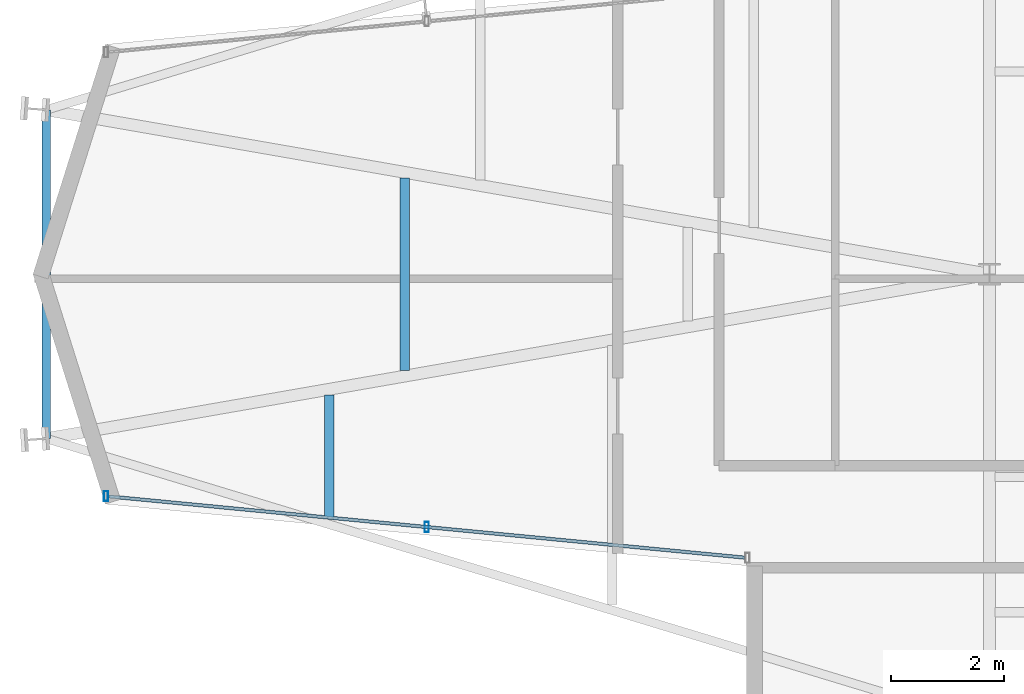
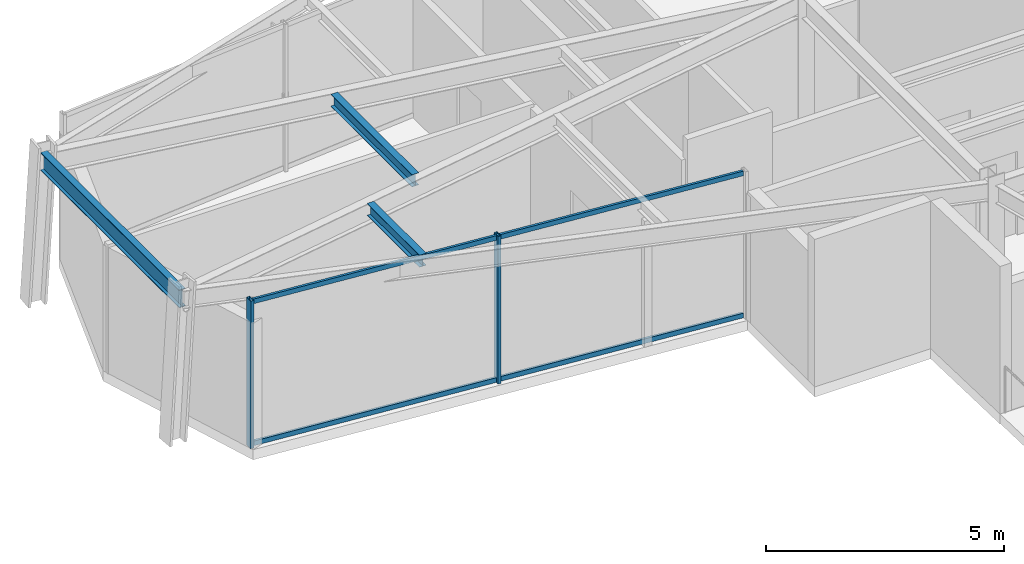
# One storey, part 2 of 21: 4 members, 3 beams, 1 element without a shape of its own.
"""IFC4 building model written with IfcOpenShell, lengths in metres."""

import ifcopenshell
import ifcopenshell.guid

model = None  # the IFC model being written
_history = None  # IfcOwnerHistory: only IFC2X3 demands one
_inside = {}  # id of a spatial element -> (the spatial element, [elements in it])
_under = {}  # id of a project, library or spatial element -> (it, [spatial elements below it])
_declared = {}  # id of a project -> (the project, [libraries it declares])
_typed = {}  # id of a type object -> (the type object, [elements of that type])
_made_of = {}  # id of a material, layer set ... -> (it, [elements and type objects made of it])


def new_model(schema):
    """Start an empty IFC model of exactly this schema.

    Asked for "IFC4X3", IfcOpenShell would pick the latest addendum, in which some entities
    have other attributes; the version numbers below select the first issue.
    IFC2X3 requires an IfcOwnerHistory on every rooted entity: one is made here for all.
    """
    global model, _history
    if schema == "IFC4X3":
        model = ifcopenshell.file(schema_version=(4, 3, 0, 0))
    else:
        model = ifcopenshell.file(schema=schema)
    _inside.clear()
    _under.clear()
    _declared.clear()
    _typed.clear()
    _made_of.clear()
    _history = None
    if model.schema == "IFC2X3":
        org = make("IfcOrganization", Name="unknown")
        user = make(
            "IfcPersonAndOrganization",
            ThePerson=make("IfcPerson", FamilyName="unknown"),
            TheOrganization=org,
        )
        app = make(
            "IfcApplication",
            ApplicationDeveloper=org,
            Version="unknown",
            ApplicationFullName="unknown",
            ApplicationIdentifier="unknown",
        )
        _history = make(
            "IfcOwnerHistory",
            OwningUser=user,
            OwningApplication=app,
            ChangeAction="ADDED",
            CreationDate=0,
        )
    return model


def make(cls, **values):
    """One entity of the class cls with the attributes given. An attribute that is None is left unset."""
    return model.create_entity(
        cls, **{name: value for name, value in values.items() if value is not None}
    )


def rooted(cls, **values):
    """An entity with a GlobalId (a new one), such as an element, a storey or a relation."""
    return make(cls, GlobalId=ifcopenshell.guid.new(), OwnerHistory=_history, **values)


def si_unit(unit_type, name, prefix=None):
    """IfcSIUnit, for example si_unit("LENGTHUNIT", "METRE", prefix="MILLI")."""
    return make("IfcSIUnit", UnitType=unit_type, Prefix=prefix, Name=name)


def assignment(units):
    """IfcUnitAssignment: the units of a project."""
    return None if units is None else make("IfcUnitAssignment", Units=units)


def point(xyz):
    """IfcCartesianPoint."""
    return None if xyz is None else make("IfcCartesianPoint", Coordinates=xyz)


def direction(xyz):
    """IfcDirection."""
    return None if xyz is None else make("IfcDirection", DirectionRatios=xyz)


def frame(location, z_axis=None, x_axis=None):
    """IfcAxis2Placement3D, a coordinate frame: its origin and axes. An axis left out is left unset."""
    return make(
        "IfcAxis2Placement3D",
        Location=point(location),
        Axis=direction(z_axis),
        RefDirection=direction(x_axis),
    )


def frame_2d(location, x_axis=None):
    """IfcAxis2Placement2D, a coordinate frame in the plane: its origin and x axis."""
    return make(
        "IfcAxis2Placement2D", Location=point(location), RefDirection=direction(x_axis)
    )


def origin():
    """The frame at (0, 0, 0) with its axes left unset."""
    return frame((0.0, 0.0, 0.0))


def origin_2d():
    """The frame at (0, 0) in the plane with its x axis left unset."""
    return frame_2d((0.0, 0.0))


def place(relative_to, where):
    """IfcLocalPlacement: puts the frame where relative to a parent placement (None: the world)."""
    return make(
        "IfcLocalPlacement", PlacementRelTo=relative_to, RelativePlacement=where
    )


def context(
    kind, dimensions, precision=None, world=None, true_north=None, identifier=None
):
    """IfcGeometricRepresentationContext, for example the 3D "Model" context."""
    return make(
        "IfcGeometricRepresentationContext",
        ContextIdentifier=identifier,
        ContextType=kind,
        CoordinateSpaceDimension=dimensions,
        Precision=precision,
        WorldCoordinateSystem=world,
        TrueNorth=true_north,
    )


def subcontext(parent, identifier, kind, view, scale=None):
    """IfcGeometricRepresentationSubContext, for example "Body" below "Model"."""
    return make(
        "IfcGeometricRepresentationSubContext",
        ContextIdentifier=identifier,
        ContextType=kind,
        ParentContext=parent,
        TargetScale=scale,
        TargetView=view,
    )


def project(units=None, contexts=None):
    """IfcProject with its units and contexts."""
    return rooted(
        "IfcProject",
        Name="project",
        RepresentationContexts=contexts,
        UnitsInContext=assignment(units),
    )


def spatial(cls, under=None, at=None, **own):
    """A site, building, storey or space (cls), placed at a placement, below another one or the project."""
    s = rooted(cls, ObjectPlacement=at, **own)
    if under is not None:
        _under.setdefault(under.id(), (under, []))[1].append(s)
    return s


def profile(cls, at=None, kind="AREA", **sizes):
    """A parametric profile (cls). Its sizes go by their IFC names, for example OverallWidth=200.0."""
    return make(cls, ProfileType=kind, Position=at, **sizes)


def hollow_rectangle(**sizes):
    """IfcRectangleHollowProfileDef."""
    return profile("IfcRectangleHollowProfileDef", **sizes)


def i_section(**sizes):
    """IfcIShapeProfileDef."""
    return profile("IfcIShapeProfileDef", **sizes)


def extrude(swept, where, along, depth):
    """IfcExtrudedAreaSolid: the profile swept, set in the frame where, extruded along a direction by depth."""
    return make(
        "IfcExtrudedAreaSolid",
        SweptArea=swept,
        Position=where,
        ExtrudedDirection=direction(along),
        Depth=depth,
    )


def shape(context_of_items, identifier, shape_type, items):
    """IfcShapeRepresentation: the items that make up one representation, for example the "Body"."""
    return make(
        "IfcShapeRepresentation",
        ContextOfItems=context_of_items,
        RepresentationIdentifier=identifier,
        RepresentationType=shape_type,
        Items=items,
    )


def material(Name=None, Category=None):
    """IfcMaterial."""
    return make("IfcMaterial", Name=Name, Category=Category)


def layer(
    of_material, thickness, ventilated=None, Name=None, Category=None, Priority=None
):
    """IfcMaterialLayer: one layer of a wall or slab, of a material (None: an air gap)."""
    return make(
        "IfcMaterialLayer",
        Material=of_material,
        LayerThickness=thickness,
        IsVentilated=ventilated,
        Name=Name,
        Category=Category,
        Priority=Priority,
    )


def layer_set(layers, Name=None):
    """IfcMaterialLayerSet."""
    return make("IfcMaterialLayerSet", MaterialLayers=layers, LayerSetName=Name)


def material_profile(
    of_material, cross_section, Name=None, Category=None, Priority=None
):
    """IfcMaterialProfile: a cross section and its material."""
    return make(
        "IfcMaterialProfile",
        Name=Name,
        Material=of_material,
        Profile=cross_section,
        Priority=Priority,
        Category=Category,
    )


def profile_set(profiles, Name=None, composite=None):
    """IfcMaterialProfileSet."""
    return make(
        "IfcMaterialProfileSet",
        Name=Name,
        MaterialProfiles=profiles,
        CompositeProfile=composite,
    )


def made_of(thing, what):
    """Note that an element or type object is made of a material, layer set ...; save() writes the relation."""
    if what is not None:
        _made_of.setdefault(what.id(), (what, []))[1].append(thing)
    return thing


def type_object(cls, material=None, **own):
    """A type object (cls), such as IfcWallType, which elements share."""
    return made_of(rooted(cls, **own), material)


def element(
    cls,
    number,
    at=None,
    inside=None,
    cuts=None,
    type_object=None,
    material=None,
    context=None,
    identifier="Body",
    shape_type=None,
    held_by="IfcProductDefinitionShape",
    body=None,
    shapes=None,
    **own,
):
    """One element of the class cls, such as IfcWall. Its Tag is "e" and its number.

    at: its placement. inside: the storey or other place that contains it. cuts: it is an
    opening in that element (IfcRelVoidsElement). A single representation is given by context,
    identifier, shape_type and body (its items); several are given by shapes. held_by: the class
    of the entity that holds the representations. save() writes the other relations.
    """
    e = rooted(cls, Tag="e%d" % number, ObjectPlacement=at, **own)
    if body is not None:
        shapes = [shape(context, identifier, shape_type, body)]
    if shapes is not None:
        e.Representation = make(held_by, Representations=shapes)
    if inside is not None:
        _inside.setdefault(inside.id(), (inside, []))[1].append(e)
    if cuts is not None:
        rooted(
            "IfcRelVoidsElement", RelatingBuildingElement=cuts, RelatedOpeningElement=e
        )
    if type_object is not None:
        _typed.setdefault(type_object.id(), (type_object, []))[1].append(e)
    return made_of(e, material)


def aggregate(whole, parts):
    """IfcRelAggregates: a whole, such as a stair, and the parts it consists of."""
    return rooted("IfcRelAggregates", RelatingObject=whole, RelatedObjects=parts)


def save(model, path):
    """Write the relations noted so far, then the file.

    IfcRelAggregates (storeys below a building ...), IfcRelContainedInSpatialStructure (elements
    in a storey), IfcRelDefinesByType, IfcRelAssociatesMaterial and IfcRelDeclares: one each for
    every whole, place, type object, material and project.
    """
    for whole, parts in _under.values():
        aggregate(whole, parts)
    for where, things in _inside.values():
        rooted(
            "IfcRelContainedInSpatialStructure",
            RelatedElements=things,
            RelatingStructure=where,
        )
    for kind, things in _typed.values():
        rooted("IfcRelDefinesByType", RelatedObjects=things, RelatingType=kind)
    for what, things in _made_of.values():
        rooted("IfcRelAssociatesMaterial", RelatedObjects=things, RelatingMaterial=what)
    for by, libraries in _declared.values():
        rooted("IfcRelDeclares", RelatingContext=by, RelatedDefinitions=libraries)
    model.write(path)


model = new_model("IFC4")

# Units and contexts
model_context = context("Model", 3, precision=1e-05, world=origin(), true_north=direction((0.0, 1.0)))
body_context = subcontext(model_context, "Body", "Model", "MODEL_VIEW")
ifc_project = project(units=[si_unit("LENGTHUNIT", "METRE"), si_unit("AREAUNIT", "SQUARE_METRE"), si_unit("VOLUMEUNIT", "CUBIC_METRE"), si_unit("PLANEANGLEUNIT", "RADIAN"), si_unit("MASSUNIT", "GRAM", prefix="KILO")], contexts=[model_context])

# Site, building, storey
site_placement = place(None, origin())
site = spatial("IfcSite", under=ifc_project, at=site_placement, CompositionType="ELEMENT")
building_placement = place(site_placement, origin())
building = spatial("IfcBuilding", under=site, at=building_placement, Name="Veymaron Broadcast Tower", CompositionType="ELEMENT")
storey_placement = place(building_placement, frame((0.0, 0.0, 240.449951171875)))
storey = spatial("IfcBuildingStorey", under=building, at=storey_placement, Name="L56", CompositionType="ELEMENT", Elevation=240.449951171875)

# Beams
ifc_material_1 = material(Name="Structural steel ASTM A992 Gr 50", Category="steel")
ifc_material_profile_1 = material_profile(ifc_material_1, i_section(OverallWidth=0.1650390625, OverallDepth=0.31005859375, WebThickness=0.005859375, FlangeThickness=0.009765625, at=origin_2d()), Name="W310X39")
ifc_profile_set_1 = profile_set([ifc_material_profile_1], Name="Structural steel ASTM A992 Gr 50")
beam_type_1 = type_object("IfcBeamType", Name="BM-JS3", PredefinedType="JOIST", material=ifc_profile_set_1)
beam_1_placement = place(storey_placement, frame((19.47607421875, 19.657470703125, 3.635009765625), z_axis=(0.0, 1.0, 0.0), x_axis=(-1.0, 0.0, 0.0)))
element("IfcBeam", 1, at=beam_1_placement, inside=storey, type_object=beam_type_1, Name="L56 Arm-A secondary joist 1S", PredefinedType="JOIST", context=body_context, shape_type="SweptSolid", body=[
    extrude(i_section(OverallWidth=0.1650390625, OverallDepth=0.31005859375, WebThickness=0.005859375, FlangeThickness=0.009765625, at=origin_2d()), origin(), (0.0, 0.0, 1.0), 2.199951171875),
])
beam_2_placement = place(storey_placement, frame((20.81591796875, 22.290771484375, 3.635009765625), z_axis=(0.0, 1.0, 0.0), x_axis=(-1.0, 0.0, 0.0)))
element("IfcBeam", 2, at=beam_2_placement, inside=storey, type_object=beam_type_1, Name="L56 Arm-A secondary joist 1M", PredefinedType="JOIST", context=body_context, shape_type="SweptSolid", body=[
    extrude(i_section(OverallWidth=0.1650390625, OverallDepth=0.31005859375, WebThickness=0.005859375, FlangeThickness=0.009765625, at=origin_2d()), origin(), (0.0, 0.0, 1.0), 3.41845703125),
])
ifc_material_profile_2 = material_profile(ifc_material_1, i_section(OverallWidth=0.154052734375, OverallDepth=0.458984375, WebThickness=0.009033203125, FlangeThickness=0.015380859375, at=origin_2d()), Name="W460X68")
ifc_profile_set_2 = profile_set([ifc_material_profile_2], Name="Structural steel ASTM A992 Gr 50")
beam_type_2 = type_object("IfcBeamType", Name="BM-SP2", PredefinedType="SPANDREL", material=ifc_profile_set_2)
beam_3_placement = place(storey_placement, frame((14.45166015625, 21.08203125, 3.560546875), z_axis=(0.0, 1.0, 0.0), x_axis=(-1.0, 0.0, 0.0)))
element("IfcBeam", 3, at=beam_3_placement, inside=storey, type_object=beam_type_2, Name="L56 primary structural floor girder", PredefinedType="SPANDREL", context=body_context, shape_type="SweptSolid", body=[
    extrude(i_section(OverallWidth=0.154052734375, OverallDepth=0.458984375, WebThickness=0.009033203125, FlangeThickness=0.015380859375, at=origin_2d()), origin(), (0.0, 0.0, 1.0), 5.8359375),
])

# Curtain wall, members
ifc_material_2 = material(Name="Anodised aluminium AA 6063-T6 and laminated low-E dark glass", Category="aluminium")
ifc_layer = layer(ifc_material_2, 0.179931640625)
ifc_layer_set = layer_set([ifc_layer], Name="Anodised aluminium AA 6063-T6 and laminated low-E dark glass")
curtain_wall_type = type_object("IfcCurtainWallType", Name="CW-SYS-05", PredefinedType="NOTDEFINED", material=ifc_layer_set)
curtain_wall_placement = place(storey_placement, origin())
curtain_wall = element("IfcCurtainWall", 4, at=curtain_wall_placement, inside=storey, type_object=curtain_wall_type, Name="L56 dark-glass curtain wall CW-L56-E16-1", PredefinedType="NOTDEFINED")
ifc_material_3 = material(Name="Anodised aluminium AA 6063-T6", Category="aluminium")
ifc_material_profile_3 = material_profile(ifc_material_3, hollow_rectangle(XDim=0.074951171875, YDim=0.179931640625, WallThickness=0.0048828125, at=origin_2d()), Name="AL180X75X5")
ifc_profile_set_3 = profile_set([ifc_material_profile_3], Name="Anodised aluminium AA 6063-T6")
member_type_1 = type_object("IfcMemberType", Name="CW-MUL-02", PredefinedType="MULLION", material=ifc_profile_set_3)
member_1_placement = place(storey_placement, frame((15.513427734375, 20.05908203125, 0.0), z_axis=(0.0, 0.0, 1.0), x_axis=(1.0, 0.0, 0.0)))
member_1 = element("IfcMember", 5, at=member_1_placement, type_object=member_type_1, Name="CW-L56-E16-1 mullion 0", PredefinedType="MULLION", context=body_context, shape_type="SweptSolid", body=[
    extrude(hollow_rectangle(XDim=0.074951171875, YDim=0.179931640625, WallThickness=0.0048828125, at=origin_2d()), origin(), (0.0, 0.0, 1.0), 3.7900390625),
])
member_2_placement = place(storey_placement, frame((21.20751953125, 19.510986328125, 0.0), z_axis=(0.0, 0.0, 1.0), x_axis=(1.0, 0.0, 0.0)))
member_2 = element("IfcMember", 6, at=member_2_placement, type_object=member_type_1, Name="CW-L56-E16-1 mullion 1", PredefinedType="MULLION", context=body_context, shape_type="SweptSolid", body=[
    extrude(hollow_rectangle(XDim=0.074951171875, YDim=0.179931640625, WallThickness=0.0048828125, at=origin_2d()), origin(), (0.0, 0.0, 1.0), 3.7900390625),
])
ifc_material_profile_4 = material_profile(ifc_material_3, hollow_rectangle(XDim=0.06005859375, YDim=0.1201171875, WallThickness=0.00390625, at=origin_2d()), Name="AL120X60X4")
ifc_profile_set_4 = profile_set([ifc_material_profile_4], Name="Anodised aluminium AA 6063-T6")
member_type_2 = type_object("IfcMemberType", Name="CW-TRN-02", PredefinedType="USERDEFINED", material=ifc_profile_set_4)
member_3_placement = place(storey_placement, frame((15.563232421875, 20.05419921875, 0.070068359375), z_axis=(0.995400544855, -0.095800601782, 0.0), x_axis=(0.095800601782, 0.995400544855, 0.0)))
member_3 = element("IfcMember", 7, at=member_3_placement, type_object=member_type_2, Name="CW-L56-E16-1 transom B", ObjectType="TRANSOM", PredefinedType="USERDEFINED", context=body_context, shape_type="SweptSolid", body=[
    extrude(hollow_rectangle(XDim=0.06005859375, YDim=0.1201171875, WallThickness=0.00390625, at=origin_2d()), origin(), (0.0, 0.0, 1.0), 11.340576171875),
])
member_4_placement = place(storey_placement, frame((15.563232421875, 20.05419921875, 3.719970703125), z_axis=(0.995400544855, -0.095800601782, 0.0), x_axis=(0.095800601782, 0.995400544855, 0.0)))
member_4 = element("IfcMember", 8, at=member_4_placement, type_object=member_type_2, Name="CW-L56-E16-1 transom T", ObjectType="TRANSOM", PredefinedType="USERDEFINED", context=body_context, shape_type="SweptSolid", body=[
    extrude(hollow_rectangle(XDim=0.06005859375, YDim=0.1201171875, WallThickness=0.00390625, at=origin_2d()), origin(), (0.0, 0.0, 1.0), 11.340576171875),
])
aggregate(curtain_wall, [member_1, member_2, member_3, member_4])

save(model, "model.ifc")
